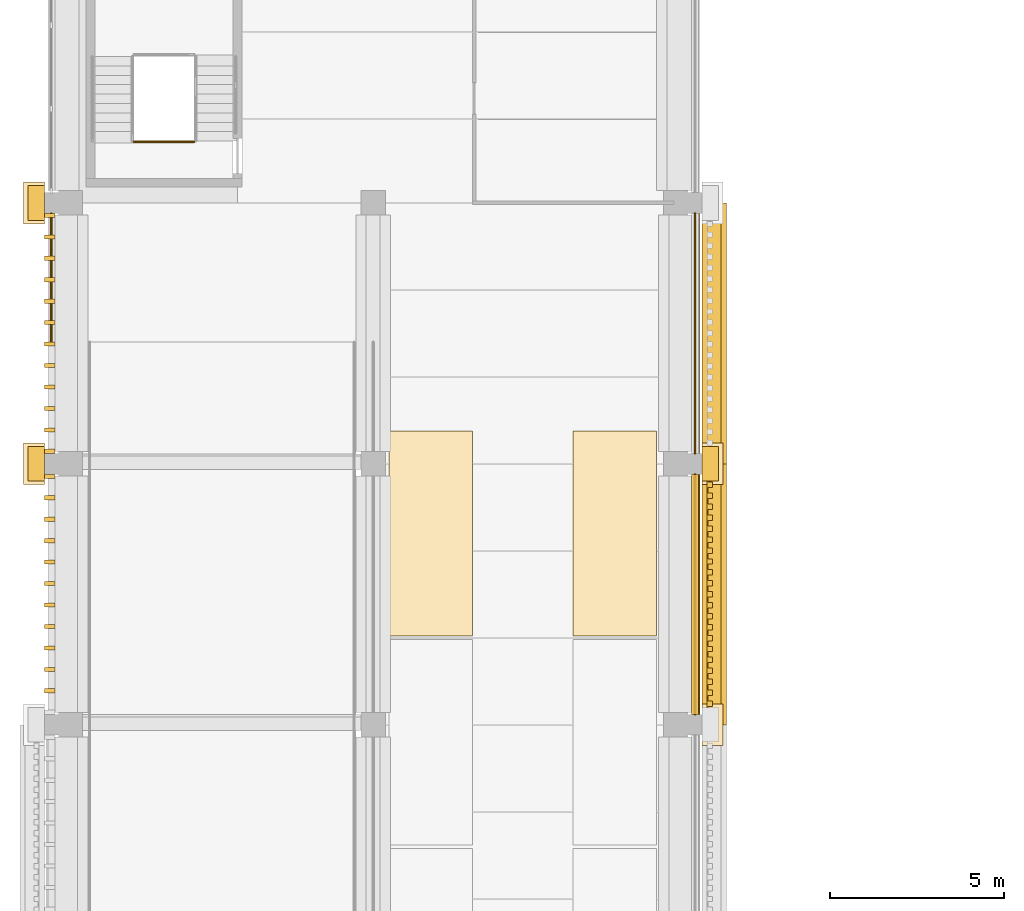
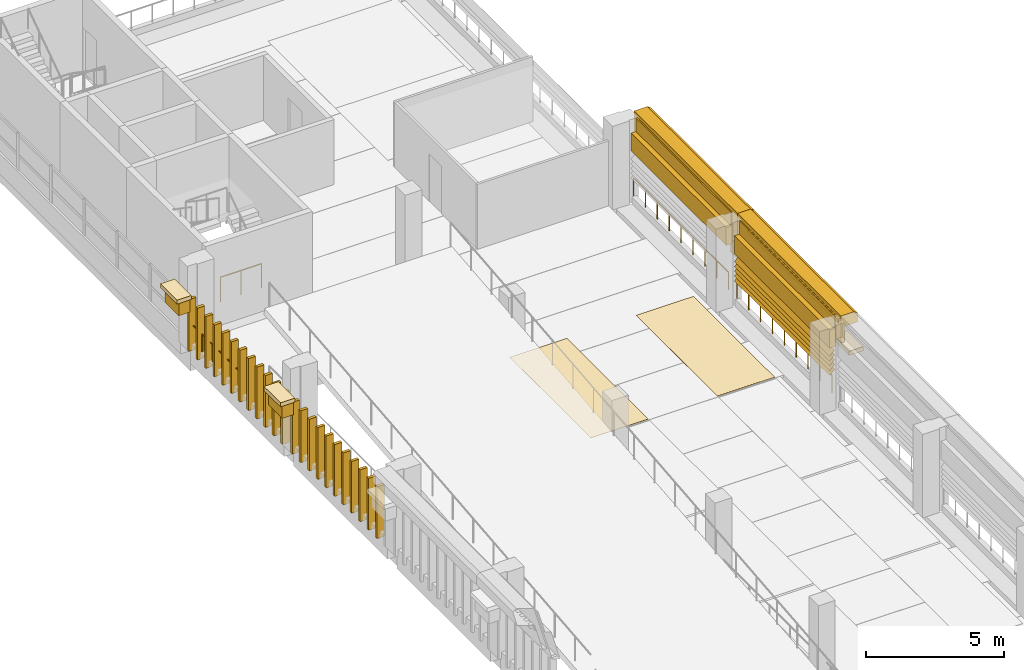
# One storey, part 16 of 25: 37 coverings, 5 shading devices, 4 railings.
"""IFC4 building model written with IfcOpenShell, lengths in metres."""

from ifc_helpers import new_model, si_unit, direction, frame, origin, origin_2d, place, context, subcontext, project, spatial, polyline, circle, outline, extrude, material, layer, layer_set, type_object, element, save


model = new_model("IFC4")

# Units and contexts
model_context = context("Model", 3, precision=1e-05, world=origin(), true_north=direction((0.0, 1.0)))
body_context = subcontext(model_context, "Body", "Model", "MODEL_VIEW")
ifc_project = project(units=[si_unit("LENGTHUNIT", "METRE"), si_unit("AREAUNIT", "SQUARE_METRE"), si_unit("VOLUMEUNIT", "CUBIC_METRE"), si_unit("PLANEANGLEUNIT", "RADIAN"), si_unit("MASSUNIT", "GRAM", prefix="KILO")], contexts=[model_context])

# Site, building, storey
site_placement = place(None, origin())
site = spatial("IfcSite", under=ifc_project, at=site_placement, CompositionType="ELEMENT")
building_placement = place(site_placement, origin())
building = spatial("IfcBuilding", under=site, at=building_placement, Name="Cour d'Honneur Mobility Palace", CompositionType="ELEMENT")
storey_placement = place(building_placement, frame((0.0, 0.0, 30.39990234375)))
storey = spatial("IfcBuildingStorey", under=building, at=storey_placement, Name="L08", CompositionType="ELEMENT", Elevation=30.39990234375)

# Railings
ifc_material_1 = material(Name="Painted steel", Category="steel")
railing_type_1 = type_object("IfcRailingType", Name="Balustrade", PredefinedType="BALUSTRADE", material=ifc_material_1)
for number, where, name in (
    (1, (17.949951171875, 30.300048828125, 0.300048828125), "Balustrade BAL-394"),
    (2, (17.949951171875, 37.800048828125, 0.300048828125), "Balustrade BAL-395"),
):
    element("IfcRailing", number, at=place(storey_placement, frame(where)), inside=storey, type_object=railing_type_1, Name=name, PredefinedType="BALUSTRADE", context=body_context, shape_type="SweptSolid", body=[
        extrude(circle(Radius=0.02392578125, at=origin_2d()), frame((0.0, 0.0, 0.77587890625), z_axis=(0.0, 1.0, 0.0), x_axis=(-1.0, 0.0, 0.0)), (0.0, 0.0, 1.0), 6.89990234375),
        extrude(circle(Radius=0.02099609375, at=origin_2d()), origin(), (0.0, 0.0, 1.0), 0.751953125),
        extrude(circle(Radius=0.02099609375, at=origin_2d()), frame((0.0, 0.862548828125, 0.0)), (0.0, 0.0, 1.0), 0.751953125),
        extrude(circle(Radius=0.02099609375, at=origin_2d()), frame((0.0, 1.72509765625, 0.0)), (0.0, 0.0, 1.0), 0.751953125),
        extrude(circle(Radius=0.02099609375, at=origin_2d()), frame((0.0, 2.58740234375, 0.0)), (0.0, 0.0, 1.0), 0.751953125),
        extrude(circle(Radius=0.02099609375, at=origin_2d()), frame((0.0, 3.449951171875, 0.0)), (0.0, 0.0, 1.0), 0.751953125),
        extrude(circle(Radius=0.02099609375, at=origin_2d()), frame((0.0, 4.3125, 0.0)), (0.0, 0.0, 1.0), 0.751953125),
        extrude(circle(Radius=0.02099609375, at=origin_2d()), frame((0.0, 5.1748046875, 0.0)), (0.0, 0.0, 1.0), 0.751953125),
        extrude(circle(Radius=0.02099609375, at=origin_2d()), frame((0.0, 6.037353515625, 0.0)), (0.0, 0.0, 1.0), 0.751953125),
        extrude(circle(Radius=0.02099609375, at=origin_2d()), frame((0.0, 6.89990234375, 0.0)), (0.0, 0.0, 1.0), 0.751953125),
    ])
railing_1_placement = place(storey_placement, frame((-0.550048828125, 44.699951171875, 0.300048828125)))
element("IfcRailing", 3, at=railing_1_placement, inside=storey, type_object=railing_type_1, Name="Balustrade BAL-398", PredefinedType="BALUSTRADE", context=body_context, shape_type="SweptSolid", body=[
    extrude(circle(Radius=0.02392578125, at=origin_2d()), frame((0.0, 0.0, 0.77587890625), z_axis=(0.0, -1.0, 0.0), x_axis=(1.0, 0.0, 0.0)), (0.0, 0.0, 1.0), 3.699951171875),
    extrude(circle(Radius=0.02099609375, at=origin_2d()), origin(), (0.0, 0.0, 1.0), 0.751953125),
    extrude(circle(Radius=0.02099609375, at=origin_2d()), frame((0.0, -0.739990234375, 0.0)), (0.0, 0.0, 1.0), 0.751953125),
    extrude(circle(Radius=0.02099609375, at=origin_2d()), frame((0.0, -1.47998046875, 0.0)), (0.0, 0.0, 1.0), 0.751953125),
    extrude(circle(Radius=0.02099609375, at=origin_2d()), frame((0.0, -2.219970703125, 0.0)), (0.0, 0.0, 1.0), 0.751953125),
    extrude(circle(Radius=0.02099609375, at=origin_2d()), frame((0.0, -2.9599609375, 0.0)), (0.0, 0.0, 1.0), 0.751953125),
    extrude(circle(Radius=0.02099609375, at=origin_2d()), frame((0.0, -3.699951171875, 0.0)), (0.0, 0.0, 1.0), 0.751953125),
])

# Coverings
ifc_material_2 = material(Name="Cast limestone", Category="masonry")
ifc_layer_1 = layer(ifc_material_2, 0.14990234375)
ifc_layer_set_1 = layer_set([ifc_layer_1], Name="Cast limestone")
covering_type_1 = type_object("IfcCoveringType", Name="Dentil course", PredefinedType="CLADDING", material=ifc_layer_set_1)
covering_1_placement = place(storey_placement, frame((0.0, 0.0, 3.150146484375)))
element("IfcCovering", 4, at=covering_1_placement, inside=storey, type_object=covering_type_1, Name="Dentil course DC-127", PredefinedType="CLADDING", context=body_context, shape_type="SweptSolid", body=[
    extrude(outline(polyline([(18.300048828125, 30.449951171875), (18.300048828125, 37.050048828125), (18.330078125, 37.050048828125), (18.330078125, 37.050048828125), (18.330078125, 36.971435546875), (18.449951171875, 36.971435546875), (18.449951171875, 36.814208984375), (18.330078125, 36.814208984375), (18.330078125, 36.735595703125), (18.330078125, 36.735595703125), (18.330078125, 36.6572265625), (18.449951171875, 36.6572265625), (18.449951171875, 36.5), (18.330078125, 36.5), (18.330078125, 36.42138671875), (18.330078125, 36.42138671875), (18.330078125, 36.3427734375), (18.449951171875, 36.3427734375), (18.449951171875, 36.185791015625), (18.330078125, 36.185791015625), (18.330078125, 36.107177734375), (18.330078125, 36.107177734375), (18.330078125, 36.028564453125), (18.449951171875, 36.028564453125), (18.449951171875, 35.871337890625), (18.330078125, 35.871337890625), (18.330078125, 35.79296875), (18.330078125, 35.79296875), (18.330078125, 35.71435546875), (18.449951171875, 35.71435546875), (18.449951171875, 35.55712890625), (18.330078125, 35.55712890625), (18.330078125, 35.478515625), (18.330078125, 35.478515625), (18.330078125, 35.39990234375), (18.449951171875, 35.39990234375), (18.449951171875, 35.242919921875), (18.330078125, 35.242919921875), (18.330078125, 35.164306640625), (18.330078125, 35.164306640625), (18.330078125, 35.085693359375), (18.449951171875, 35.085693359375), (18.449951171875, 34.928466796875), (18.330078125, 34.928466796875), (18.330078125, 34.85009765625), (18.330078125, 34.85009765625), (18.330078125, 34.771484375), (18.449951171875, 34.771484375), (18.449951171875, 34.6142578125), (18.330078125, 34.6142578125), (18.330078125, 34.53564453125), (18.330078125, 34.53564453125), (18.330078125, 34.45703125), (18.449951171875, 34.45703125), (18.449951171875, 34.300048828125), (18.330078125, 34.300048828125), (18.330078125, 34.221435546875), (18.330078125, 34.221435546875), (18.330078125, 34.142822265625), (18.449951171875, 34.142822265625), (18.449951171875, 33.985595703125), (18.330078125, 33.985595703125), (18.330078125, 33.9072265625), (18.330078125, 33.9072265625), (18.330078125, 33.82861328125), (18.449951171875, 33.82861328125), (18.449951171875, 33.67138671875), (18.330078125, 33.67138671875), (18.330078125, 33.5927734375), (18.330078125, 33.5927734375), (18.330078125, 33.514404296875), (18.449951171875, 33.514404296875), (18.449951171875, 33.357177734375), (18.330078125, 33.357177734375), (18.330078125, 33.278564453125), (18.330078125, 33.278564453125), (18.330078125, 33.199951171875), (18.449951171875, 33.199951171875), (18.449951171875, 33.04296875), (18.330078125, 33.04296875), (18.330078125, 32.96435546875), (18.330078125, 32.96435546875), (18.330078125, 32.8857421875), (18.449951171875, 32.8857421875), (18.449951171875, 32.728515625), (18.330078125, 32.728515625), (18.330078125, 32.64990234375), (18.330078125, 32.64990234375), (18.330078125, 32.571533203125), (18.449951171875, 32.571533203125), (18.449951171875, 32.414306640625), (18.330078125, 32.414306640625), (18.330078125, 32.335693359375), (18.330078125, 32.335693359375), (18.330078125, 32.257080078125), (18.449951171875, 32.257080078125), (18.449951171875, 32.10009765625), (18.330078125, 32.10009765625), (18.330078125, 32.021484375), (18.330078125, 32.021484375), (18.330078125, 31.94287109375), (18.449951171875, 31.94287109375), (18.449951171875, 31.78564453125), (18.330078125, 31.78564453125), (18.330078125, 31.70703125), (18.330078125, 31.70703125), (18.330078125, 31.628662109375), (18.449951171875, 31.628662109375), (18.449951171875, 31.471435546875), (18.330078125, 31.471435546875), (18.330078125, 31.392822265625), (18.330078125, 31.392822265625), (18.330078125, 31.314208984375), (18.449951171875, 31.314208984375), (18.449951171875, 31.1572265625), (18.330078125, 31.1572265625), (18.330078125, 31.07861328125), (18.330078125, 31.07861328125), (18.330078125, 31.0), (18.449951171875, 31.0), (18.449951171875, 30.8427734375), (18.330078125, 30.8427734375), (18.330078125, 30.764404296875), (18.330078125, 30.764404296875), (18.330078125, 30.685791015625), (18.449951171875, 30.685791015625), (18.449951171875, 30.528564453125), (18.330078125, 30.528564453125), (18.330078125, 30.449951171875), (18.300048828125, 30.449951171875)])), origin(), (0.0, 0.0, 1.0), 0.14990234375),
])
ifc_material_3 = material(Name="Cast limestone", Category="masonry")
ifc_layer_2 = layer(ifc_material_3, 0.699951171875)
ifc_layer_set_2 = layer_set([ifc_layer_2], Name="Cast limestone")
covering_type_2 = type_object("IfcCoveringType", Name="Entablature", PredefinedType="CLADDING", material=ifc_layer_set_2)
for number, where, z_axis, x_axis, name in (
    (5, (18.14990234375, 30.0, 2.60009765625), (0.0, -1.0, 0.0), (1.0, 0.0, 0.0), "Entablature EN-127"),
    (6, (18.14990234375, 37.5, 2.60009765625), (0.0, -1.0, 0.0), (1.0, 0.0, 0.0), "Entablature EN-128"),
):
    element("IfcCovering", number, at=place(storey_placement, frame(where, z_axis=z_axis, x_axis=x_axis)), inside=storey, type_object=covering_type_2, Name=name, PredefinedType="CLADDING", context=body_context, shape_type="SweptSolid", body=[
        extrude(outline(polyline([(0.0, 0.0), (0.150146484375, 0.0), (0.150146484375, 0.699951171875), (0.7001953125, 0.699951171875), (0.7001953125, 1.10009765625), (0.550048828125, 1.199951171875), (0.0, 1.199951171875), (0.0, 0.0)])), origin(), (0.0, 0.0, -1.0), 7.5),
    ])

# Railing
ifc_material_4 = material(Name="Painted steel", Category="steel")
railing_type_2 = type_object("IfcRailingType", Name="Guardrail 1100", PredefinedType="GUARDRAIL", material=ifc_material_4)
railing_2_placement = place(storey_placement, frame((1.824951171875, 46.7548828125, 0.0)))
element("IfcRailing", 7, at=railing_2_placement, inside=storey, type_object=railing_type_2, Name="Guard ST-CW1", PredefinedType="GUARDRAIL", context=body_context, shape_type="SweptSolid", body=[
    extrude(circle(Radius=0.02490234375, at=origin_2d()), frame((0.0, 0.0, 1.0751953125), z_axis=(1.0, 0.0, 0.0), x_axis=(0.0, 1.0, 0.0)), (0.0, 0.0, 1.0), 1.72509765625),
    extrude(circle(Radius=0.02099609375, at=origin_2d()), origin(), (0.0, 0.0, 1.0), 1.050048828125),
    extrude(circle(Radius=0.02099609375, at=origin_2d()), frame((0.862548828125, 0.0, 0.0)), (0.0, 0.0, 1.0), 1.050048828125),
    extrude(circle(Radius=0.02099609375, at=origin_2d()), frame((1.72509765625, 0.0, 0.0)), (0.0, 0.0, 1.0), 1.050048828125),
])

# Coverings
ifc_material_5 = material(Name="Parking marking paint")
ifc_layer_3 = layer(ifc_material_5, 0.0048828125)
ifc_layer_set_3 = layer_set([ifc_layer_3], Name="Parking marking paint")
covering_type_3 = type_object("IfcCoveringType", Name="Parking bay marking", PredefinedType="FLOORING", material=ifc_layer_set_3)
covering_2_placement = place(storey_placement, origin())
element("IfcCovering", 8, at=covering_2_placement, inside=storey, type_object=covering_type_3, Name="Parking bay marking L08 12", PredefinedType="FLOORING", context=body_context, shape_type="SweptSolid", body=[
    extrude(outline(polyline([(11.550048828125, 32.550048828125), (9.14990234375, 32.550048828125), (9.14990234375, 38.449951171875), (11.550048828125, 38.449951171875), (11.550048828125, 32.550048828125)])), origin(), (0.0, 0.0, 1.0), 0.005126953125),
])
covering_3_placement = place(storey_placement, origin())
element("IfcCovering", 9, at=covering_3_placement, inside=storey, type_object=covering_type_3, Name="Parking bay marking L08 16", PredefinedType="FLOORING", context=body_context, shape_type="SweptSolid", body=[
    extrude(outline(polyline([(16.85009765625, 32.550048828125), (14.449951171875, 32.550048828125), (14.449951171875, 38.449951171875), (16.85009765625, 38.449951171875), (16.85009765625, 32.550048828125)])), origin(), (0.0, 0.0, 1.0), 0.005126953125),
])
ifc_material_6 = material(Name="Cast limestone", Category="masonry")
ifc_layer_4 = layer(ifc_material_6, 0.1201171875)
ifc_layer_set_4 = layer_set([ifc_layer_4], Name="Cast limestone")
covering_type_4 = type_object("IfcCoveringType", Name="Pilaster capital", PredefinedType="CLADDING", material=ifc_layer_set_4)
covering_4_placement = place(storey_placement, frame((0.0, 0.0, 2.420166015625)))
element("IfcCovering", 10, at=covering_4_placement, inside=storey, type_object=covering_type_4, Name="Pilaster capital PK-14", PredefinedType="CLADDING", context=body_context, shape_type="SweptSolid", body=[
    extrude(outline(polyline([(18.14990234375, 29.39990234375), (18.14990234375, 30.60009765625), (18.75, 30.60009765625), (18.75, 29.39990234375), (18.14990234375, 29.39990234375)])), origin(), (0.0, 0.0, 1.0), 0.179931640625),
])
covering_5_placement = place(storey_placement, frame((0.0, 0.0, 1.800048828125)))
element("IfcCovering", 11, at=covering_5_placement, inside=storey, type_object=covering_type_4, Name="Pilaster capital PK-15", PredefinedType="CLADDING", context=body_context, shape_type="SweptSolid", body=[
    extrude(outline(polyline([(18.14990234375, 37.0), (18.14990234375, 38.0), (18.6201171875, 38.0), (18.6201171875, 37.0), (18.14990234375, 37.0)])), origin(), (0.0, 0.0, 1.0), 0.6201171875),
])
covering_6_placement = place(storey_placement, frame((0.0, 0.0, 2.420166015625)))
element("IfcCovering", 12, at=covering_6_placement, inside=storey, type_object=covering_type_4, Name="Pilaster capital PK-16", PredefinedType="CLADDING", context=body_context, shape_type="SweptSolid", body=[
    extrude(outline(polyline([(18.14990234375, 36.89990234375), (18.14990234375, 38.10009765625), (18.75, 38.10009765625), (18.75, 36.89990234375), (18.14990234375, 36.89990234375)])), origin(), (0.0, 0.0, 1.0), 0.179931640625),
])
covering_7_placement = place(storey_placement, frame((0.0, 0.0, 1.800048828125)))
element("IfcCovering", 13, at=covering_7_placement, inside=storey, type_object=covering_type_4, Name="Pilaster capital PK-195", PredefinedType="CLADDING", context=body_context, shape_type="SweptSolid", body=[
    extrude(outline(polyline([(-0.75, 45.5), (-0.75, 44.5), (-1.219970703125, 44.5), (-1.219970703125, 45.5), (-0.75, 45.5)])), origin(), (0.0, 0.0, 1.0), 0.6201171875),
])
covering_8_placement = place(storey_placement, frame((0.0, 0.0, 2.420166015625)))
element("IfcCovering", 14, at=covering_8_placement, inside=storey, type_object=covering_type_4, Name="Pilaster capital PK-196", PredefinedType="CLADDING", context=body_context, shape_type="SweptSolid", body=[
    extrude(outline(polyline([(-0.75, 45.60009765625), (-0.75, 44.39990234375), (-1.35009765625, 44.39990234375), (-1.35009765625, 45.60009765625), (-0.75, 45.60009765625)])), origin(), (0.0, 0.0, 1.0), 0.179931640625),
])
covering_9_placement = place(storey_placement, frame((0.0, 0.0, 1.800048828125)))
element("IfcCovering", 15, at=covering_9_placement, inside=storey, type_object=covering_type_4, Name="Pilaster capital PK-197", PredefinedType="CLADDING", context=body_context, shape_type="SweptSolid", body=[
    extrude(outline(polyline([(-0.75, 38.0), (-0.75, 37.0), (-1.219970703125, 37.0), (-1.219970703125, 38.0), (-0.75, 38.0)])), origin(), (0.0, 0.0, 1.0), 0.6201171875),
])
covering_10_placement = place(storey_placement, frame((0.0, 0.0, 2.420166015625)))
element("IfcCovering", 16, at=covering_10_placement, inside=storey, type_object=covering_type_4, Name="Pilaster capital PK-198", PredefinedType="CLADDING", context=body_context, shape_type="SweptSolid", body=[
    extrude(outline(polyline([(-0.75, 38.10009765625), (-0.75, 36.89990234375), (-1.35009765625, 36.89990234375), (-1.35009765625, 38.10009765625), (-0.75, 38.10009765625)])), origin(), (0.0, 0.0, 1.0), 0.179931640625),
])
ifc_material_7 = material(Name="Cast limestone", Category="masonry")
ifc_layer_5 = layer(ifc_material_7, 0.1201171875)
ifc_layer_set_5 = layer_set([ifc_layer_5], Name="Cast limestone")
covering_type_5 = type_object("IfcCoveringType", Name="Ramp screen fin", PredefinedType="CLADDING", material=ifc_layer_set_5)
covering_11_placement = place(storey_placement, origin())
element("IfcCovering", 17, at=covering_11_placement, inside=storey, type_object=covering_type_5, Name="Ramp screen fin W3.1 L08 1", PredefinedType="CLADDING", context=body_context, shape_type="SweptSolid", body=[
    extrude(outline(polyline([(-0.449951171875, 44.699951171875), (-0.449951171875, 44.580078125), (-0.75, 44.580078125), (-0.75, 44.699951171875), (-0.449951171875, 44.699951171875)])), origin(), (0.0, 0.0, 1.0), 2.300048828125),
])
covering_12_placement = place(storey_placement, origin())
element("IfcCovering", 18, at=covering_12_placement, inside=storey, type_object=covering_type_5, Name="Ramp screen fin W3.1 L08 2", PredefinedType="CLADDING", context=body_context, shape_type="SweptSolid", body=[
    extrude(outline(polyline([(-0.449951171875, 44.083740234375), (-0.449951171875, 43.963623046875), (-0.75, 43.963623046875), (-0.75, 44.083740234375), (-0.449951171875, 44.083740234375)])), origin(), (0.0, 0.0, 1.0), 2.300048828125),
])
covering_13_placement = place(storey_placement, origin())
element("IfcCovering", 19, at=covering_13_placement, inside=storey, type_object=covering_type_5, Name="Ramp screen fin W3.1 L08 3", PredefinedType="CLADDING", context=body_context, shape_type="SweptSolid", body=[
    extrude(outline(polyline([(-0.449951171875, 43.46728515625), (-0.449951171875, 43.34716796875), (-0.75, 43.34716796875), (-0.75, 43.46728515625), (-0.449951171875, 43.46728515625)])), origin(), (0.0, 0.0, 1.0), 2.300048828125),
])
covering_14_placement = place(storey_placement, origin())
element("IfcCovering", 20, at=covering_14_placement, inside=storey, type_object=covering_type_5, Name="Ramp screen fin W3.1 L08 4", PredefinedType="CLADDING", context=body_context, shape_type="SweptSolid", body=[
    extrude(outline(polyline([(-0.449951171875, 42.850830078125), (-0.449951171875, 42.73095703125), (-0.75, 42.73095703125), (-0.75, 42.850830078125), (-0.449951171875, 42.850830078125)])), origin(), (0.0, 0.0, 1.0), 2.300048828125),
])
covering_15_placement = place(storey_placement, origin())
element("IfcCovering", 21, at=covering_15_placement, inside=storey, type_object=covering_type_5, Name="Ramp screen fin W3.1 L08 5", PredefinedType="CLADDING", context=body_context, shape_type="SweptSolid", body=[
    extrude(outline(polyline([(-0.449951171875, 42.234619140625), (-0.449951171875, 42.114501953125), (-0.75, 42.114501953125), (-0.75, 42.234619140625), (-0.449951171875, 42.234619140625)])), origin(), (0.0, 0.0, 1.0), 2.300048828125),
])
covering_16_placement = place(storey_placement, origin())
element("IfcCovering", 22, at=covering_16_placement, inside=storey, type_object=covering_type_5, Name="Ramp screen fin W3.1 L08 6", PredefinedType="CLADDING", context=body_context, shape_type="SweptSolid", body=[
    extrude(outline(polyline([(-0.449951171875, 41.6181640625), (-0.449951171875, 41.498291015625), (-0.75, 41.498291015625), (-0.75, 41.6181640625), (-0.449951171875, 41.6181640625)])), origin(), (0.0, 0.0, 1.0), 2.300048828125),
])
covering_17_placement = place(storey_placement, origin())
element("IfcCovering", 23, at=covering_17_placement, inside=storey, type_object=covering_type_5, Name="Ramp screen fin W3.1 L08 7", PredefinedType="CLADDING", context=body_context, shape_type="SweptSolid", body=[
    extrude(outline(polyline([(-0.449951171875, 41.001708984375), (-0.449951171875, 40.8818359375), (-0.75, 40.8818359375), (-0.75, 41.001708984375), (-0.449951171875, 41.001708984375)])), origin(), (0.0, 0.0, 1.0), 2.300048828125),
])
covering_18_placement = place(storey_placement, origin())
element("IfcCovering", 24, at=covering_18_placement, inside=storey, type_object=covering_type_5, Name="Ramp screen fin W3.1 L08 8", PredefinedType="CLADDING", context=body_context, shape_type="SweptSolid", body=[
    extrude(outline(polyline([(-0.449951171875, 40.385498046875), (-0.449951171875, 40.265380859375), (-0.75, 40.265380859375), (-0.75, 40.385498046875), (-0.449951171875, 40.385498046875)])), origin(), (0.0, 0.0, 1.0), 2.300048828125),
])
covering_19_placement = place(storey_placement, origin())
element("IfcCovering", 25, at=covering_19_placement, inside=storey, type_object=covering_type_5, Name="Ramp screen fin W3.1 L08 9", PredefinedType="CLADDING", context=body_context, shape_type="SweptSolid", body=[
    extrude(outline(polyline([(-0.449951171875, 39.76904296875), (-0.449951171875, 39.649169921875), (-0.75, 39.649169921875), (-0.75, 39.76904296875), (-0.449951171875, 39.76904296875)])), origin(), (0.0, 0.0, 1.0), 2.300048828125),
])
covering_20_placement = place(storey_placement, origin())
element("IfcCovering", 26, at=covering_20_placement, inside=storey, type_object=covering_type_5, Name="Ramp screen fin W3.1 L08 10", PredefinedType="CLADDING", context=body_context, shape_type="SweptSolid", body=[
    extrude(outline(polyline([(-0.449951171875, 39.15283203125), (-0.449951171875, 39.03271484375), (-0.75, 39.03271484375), (-0.75, 39.15283203125), (-0.449951171875, 39.15283203125)])), origin(), (0.0, 0.0, 1.0), 2.300048828125),
])
covering_21_placement = place(storey_placement, origin())
element("IfcCovering", 27, at=covering_21_placement, inside=storey, type_object=covering_type_5, Name="Ramp screen fin W3.1 L08 11", PredefinedType="CLADDING", context=body_context, shape_type="SweptSolid", body=[
    extrude(outline(polyline([(-0.449951171875, 38.536376953125), (-0.449951171875, 38.416259765625), (-0.75, 38.416259765625), (-0.75, 38.536376953125), (-0.449951171875, 38.536376953125)])), origin(), (0.0, 0.0, 1.0), 2.300048828125),
])
covering_22_placement = place(storey_placement, origin())
element("IfcCovering", 28, at=covering_22_placement, inside=storey, type_object=covering_type_5, Name="Ramp screen fin W3.1 L08 12", PredefinedType="CLADDING", context=body_context, shape_type="SweptSolid", body=[
    extrude(outline(polyline([(-0.449951171875, 37.919921875), (-0.449951171875, 37.800048828125), (-0.75, 37.800048828125), (-0.75, 37.919921875), (-0.449951171875, 37.919921875)])), origin(), (0.0, 0.0, 1.0), 2.300048828125),
])
covering_23_placement = place(storey_placement, origin())
element("IfcCovering", 29, at=covering_23_placement, inside=storey, type_object=covering_type_5, Name="Ramp screen fin W3.2 L08 1", PredefinedType="CLADDING", context=body_context, shape_type="SweptSolid", body=[
    extrude(outline(polyline([(-0.449951171875, 37.199951171875), (-0.449951171875, 37.080078125), (-0.75, 37.080078125), (-0.75, 37.199951171875), (-0.449951171875, 37.199951171875)])), origin(), (0.0, 0.0, 1.0), 2.300048828125),
])
covering_24_placement = place(storey_placement, origin())
element("IfcCovering", 30, at=covering_24_placement, inside=storey, type_object=covering_type_5, Name="Ramp screen fin W3.2 L08 2", PredefinedType="CLADDING", context=body_context, shape_type="SweptSolid", body=[
    extrude(outline(polyline([(-0.449951171875, 36.583740234375), (-0.449951171875, 36.463623046875), (-0.75, 36.463623046875), (-0.75, 36.583740234375), (-0.449951171875, 36.583740234375)])), origin(), (0.0, 0.0, 1.0), 2.300048828125),
])
covering_25_placement = place(storey_placement, origin())
element("IfcCovering", 31, at=covering_25_placement, inside=storey, type_object=covering_type_5, Name="Ramp screen fin W3.2 L08 3", PredefinedType="CLADDING", context=body_context, shape_type="SweptSolid", body=[
    extrude(outline(polyline([(-0.449951171875, 35.96728515625), (-0.449951171875, 35.84716796875), (-0.75, 35.84716796875), (-0.75, 35.96728515625), (-0.449951171875, 35.96728515625)])), origin(), (0.0, 0.0, 1.0), 2.300048828125),
])
covering_26_placement = place(storey_placement, origin())
element("IfcCovering", 32, at=covering_26_placement, inside=storey, type_object=covering_type_5, Name="Ramp screen fin W3.2 L08 4", PredefinedType="CLADDING", context=body_context, shape_type="SweptSolid", body=[
    extrude(outline(polyline([(-0.449951171875, 35.350830078125), (-0.449951171875, 35.23095703125), (-0.75, 35.23095703125), (-0.75, 35.350830078125), (-0.449951171875, 35.350830078125)])), origin(), (0.0, 0.0, 1.0), 2.300048828125),
])
covering_27_placement = place(storey_placement, origin())
element("IfcCovering", 33, at=covering_27_placement, inside=storey, type_object=covering_type_5, Name="Ramp screen fin W3.2 L08 5", PredefinedType="CLADDING", context=body_context, shape_type="SweptSolid", body=[
    extrude(outline(polyline([(-0.449951171875, 34.734619140625), (-0.449951171875, 34.614501953125), (-0.75, 34.614501953125), (-0.75, 34.734619140625), (-0.449951171875, 34.734619140625)])), origin(), (0.0, 0.0, 1.0), 2.300048828125),
])
covering_28_placement = place(storey_placement, origin())
element("IfcCovering", 34, at=covering_28_placement, inside=storey, type_object=covering_type_5, Name="Ramp screen fin W3.2 L08 6", PredefinedType="CLADDING", context=body_context, shape_type="SweptSolid", body=[
    extrude(outline(polyline([(-0.449951171875, 34.1181640625), (-0.449951171875, 33.998291015625), (-0.75, 33.998291015625), (-0.75, 34.1181640625), (-0.449951171875, 34.1181640625)])), origin(), (0.0, 0.0, 1.0), 2.300048828125),
])
covering_29_placement = place(storey_placement, origin())
element("IfcCovering", 35, at=covering_29_placement, inside=storey, type_object=covering_type_5, Name="Ramp screen fin W3.2 L08 7", PredefinedType="CLADDING", context=body_context, shape_type="SweptSolid", body=[
    extrude(outline(polyline([(-0.449951171875, 33.501708984375), (-0.449951171875, 33.3818359375), (-0.75, 33.3818359375), (-0.75, 33.501708984375), (-0.449951171875, 33.501708984375)])), origin(), (0.0, 0.0, 1.0), 2.300048828125),
])
covering_30_placement = place(storey_placement, origin())
element("IfcCovering", 36, at=covering_30_placement, inside=storey, type_object=covering_type_5, Name="Ramp screen fin W3.2 L08 8", PredefinedType="CLADDING", context=body_context, shape_type="SweptSolid", body=[
    extrude(outline(polyline([(-0.449951171875, 32.885498046875), (-0.449951171875, 32.765380859375), (-0.75, 32.765380859375), (-0.75, 32.885498046875), (-0.449951171875, 32.885498046875)])), origin(), (0.0, 0.0, 1.0), 2.300048828125),
])
covering_31_placement = place(storey_placement, origin())
element("IfcCovering", 37, at=covering_31_placement, inside=storey, type_object=covering_type_5, Name="Ramp screen fin W3.2 L08 9", PredefinedType="CLADDING", context=body_context, shape_type="SweptSolid", body=[
    extrude(outline(polyline([(-0.449951171875, 32.26904296875), (-0.449951171875, 32.149169921875), (-0.75, 32.149169921875), (-0.75, 32.26904296875), (-0.449951171875, 32.26904296875)])), origin(), (0.0, 0.0, 1.0), 2.300048828125),
])
covering_32_placement = place(storey_placement, origin())
element("IfcCovering", 38, at=covering_32_placement, inside=storey, type_object=covering_type_5, Name="Ramp screen fin W3.2 L08 10", PredefinedType="CLADDING", context=body_context, shape_type="SweptSolid", body=[
    extrude(outline(polyline([(-0.449951171875, 31.65283203125), (-0.449951171875, 31.53271484375), (-0.75, 31.53271484375), (-0.75, 31.65283203125), (-0.449951171875, 31.65283203125)])), origin(), (0.0, 0.0, 1.0), 2.300048828125),
])
covering_33_placement = place(storey_placement, origin())
element("IfcCovering", 39, at=covering_33_placement, inside=storey, type_object=covering_type_5, Name="Ramp screen fin W3.2 L08 11", PredefinedType="CLADDING", context=body_context, shape_type="SweptSolid", body=[
    extrude(outline(polyline([(-0.449951171875, 31.036376953125), (-0.449951171875, 30.916259765625), (-0.75, 30.916259765625), (-0.75, 31.036376953125), (-0.449951171875, 31.036376953125)])), origin(), (0.0, 0.0, 1.0), 2.300048828125),
])
ifc_material_8 = material(Name="Cast limestone", Category="masonry")
ifc_layer_6 = layer(ifc_material_8, 0.25)
ifc_layer_set_6 = layer_set([ifc_layer_6], Name="Cast limestone")
covering_type_6 = type_object("IfcCoveringType", Name="Spandrel cladding", PredefinedType="CLADDING", material=ifc_layer_set_6)
for number, where, z_axis, x_axis, name in (
    (40, (17.85009765625, 30.300048828125, 2.300048828125), (0.0, -1.0, 0.0), (1.0, 0.0, 0.0), "Spandrel cladding SK-394"),
    (41, (17.85009765625, 37.800048828125, 2.300048828125), (0.0, -1.0, 0.0), (1.0, 0.0, 0.0), "Spandrel cladding SK-395"),
):
    element("IfcCovering", number, at=place(storey_placement, frame(where, z_axis=z_axis, x_axis=x_axis)), inside=storey, type_object=covering_type_6, Name=name, PredefinedType="CLADDING", context=body_context, shape_type="SweptSolid", body=[
        extrude(outline(polyline([(0.0, 0.0), (0.25, 0.0), (0.25, 1.400146484375), (0.199951171875, 1.400146484375), (0.199951171875, 0.800048828125), (0.0, 0.800048828125), (0.0, 0.0)])), origin(), (0.0, 0.0, -1.0), 6.89990234375),
    ])

# Shading devices
ifc_material_9 = material(Name="Terracotta", Category="masonry")
ifc_layer_7 = layer(ifc_material_9, 0.02490234375)
ifc_layer_set_7 = layer_set([ifc_layer_7], Name="Terracotta")
shading_device_type = type_object("IfcShadingDeviceType", Name="Terracotta louvre blade", PredefinedType="JALOUSIE", material=ifc_layer_set_7)
for number, where, z_axis, x_axis, name in (
    (42, (17.843994140625, 30.300048828125, 1.10009765625), (-0.707106781187, 0.0, 0.707106781187), (0.0, 1.0, 0.0), "Louvre blade LV-1 E1.4 L08 1"),
    (43, (17.843994140625, 30.300048828125, 1.312255859375), (-0.707106781187, 0.0, 0.707106781187), (0.0, 1.0, 0.0), "Louvre blade LV-1 E1.4 L08 2"),
    (44, (17.843994140625, 30.300048828125, 1.5244140625), (-0.707106781187, 0.0, 0.707106781187), (0.0, 1.0, 0.0), "Louvre blade LV-1 E1.4 L08 3"),
    (45, (17.843994140625, 30.300048828125, 1.736572265625), (-0.707106781187, 0.0, 0.707106781187), (0.0, 1.0, 0.0), "Louvre blade LV-1 E1.4 L08 4"),
):
    element("IfcShadingDevice", number, at=place(storey_placement, frame(where, z_axis=z_axis, x_axis=x_axis)), inside=storey, type_object=shading_device_type, Name=name, PredefinedType="JALOUSIE", context=body_context, shape_type="SweptSolid", body=[
        extrude(outline(polyline([(0.0, 0.0), (6.89990234375, 0.0), (6.89990234375, -0.300037008228081), (0.0, -0.300037008228081), (0.0, 0.0)])), origin(), (0.0, 0.0, -1.0), 0.02490234375),
    ])
shading_device_placement = place(storey_placement, frame((17.843994140625, 30.300048828125, 1.94873046875), z_axis=(-0.706699578995, 0.0, 0.707513749017), x_axis=(0.0, 1.0, 0.0)))
element("IfcShadingDevice", 46, at=shading_device_placement, inside=storey, type_object=shading_device_type, Name="Louvre blade LV-1 E1.4 L08 5", PredefinedType="JALOUSIE", context=body_context, shape_type="SweptSolid", body=[
    extrude(outline(polyline([(0.0, 0.0), (6.89990234375, 0.0), (6.89990234375, -0.29986442442957895), (0.0, -0.29986442442957895), (0.0, 0.0)])), origin(), (0.0, 0.0, -1.0), 0.02490234375),
])

save(model, "model.ifc")
